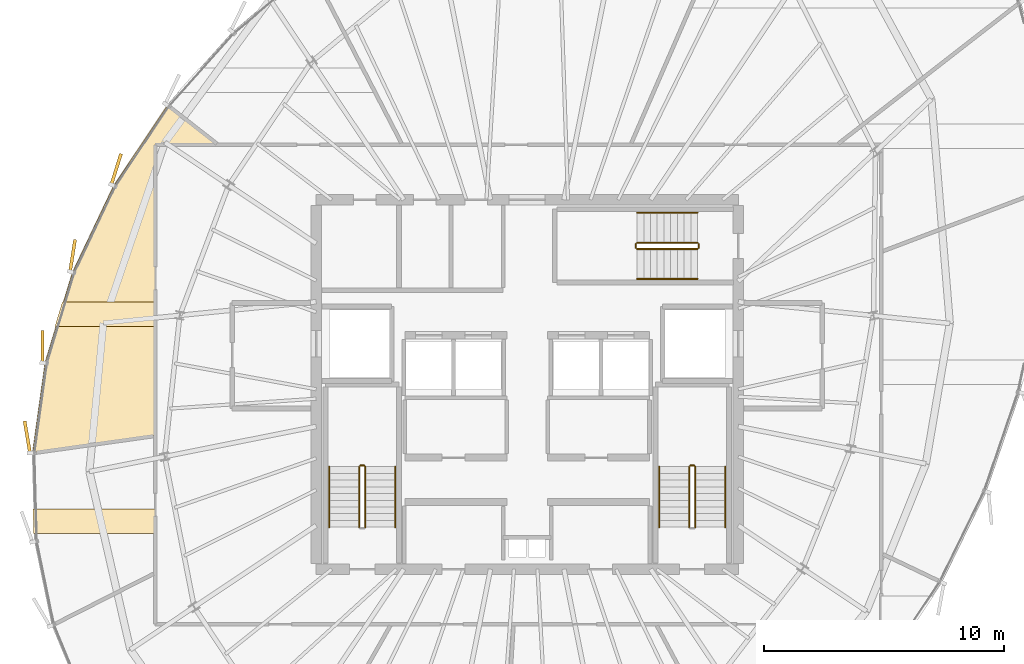
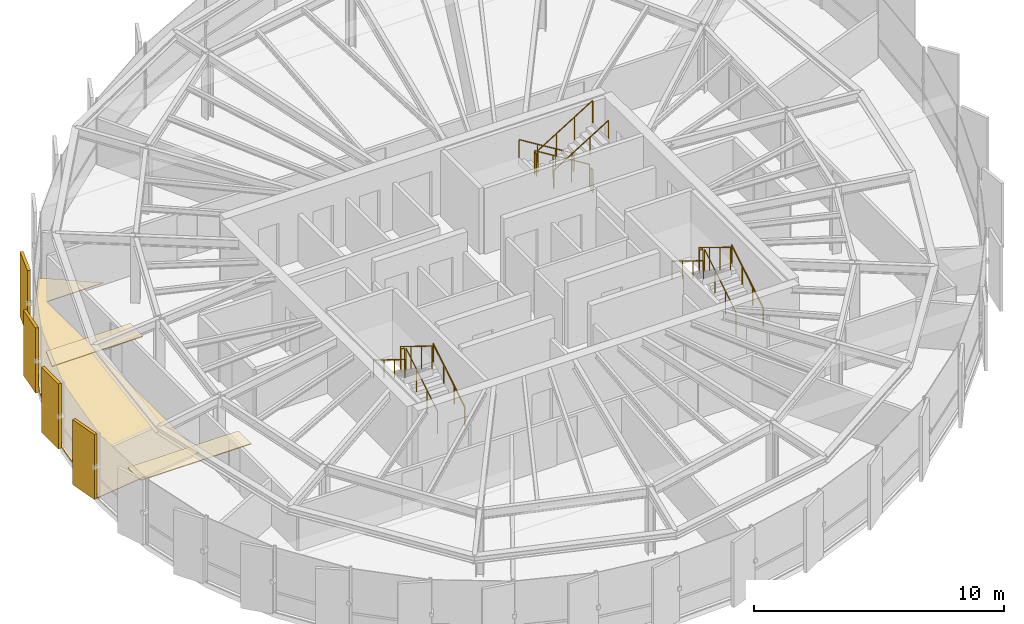
# One storey, part 34 of 35: 16 railings, 7 coverings.
"""IFC4 building model written with IfcOpenShell, lengths in metres."""

from ifc_helpers import new_model, si_unit, direction, frame, origin, origin_2d, place, context, subcontext, project, spatial, polyline, rectangle, circle, outline, extrude, source, transform, mapped, material, layer, layer_set, type_object, element, save


model = new_model("IFC4")

# Units and contexts
model_context = context("Model", 3, precision=1e-05, world=origin(), true_north=direction((0.0, 1.0)))
body_context = subcontext(model_context, "Body", "Model", "MODEL_VIEW")
ifc_project = project(units=[si_unit("LENGTHUNIT", "METRE"), si_unit("AREAUNIT", "SQUARE_METRE"), si_unit("VOLUMEUNIT", "CUBIC_METRE"), si_unit("PLANEANGLEUNIT", "RADIAN"), si_unit("MASSUNIT", "GRAM", prefix="KILO"), si_unit("THERMODYNAMICTEMPERATUREUNIT", "KELVIN")], contexts=[model_context])

# Site, building, storey
site_placement = place(None, origin())
site = spatial("IfcSite", under=ifc_project, at=site_placement, CompositionType="ELEMENT")
building_placement = place(site_placement, origin())
building = spatial("IfcBuilding", under=site, at=building_placement, Name="Kethvar Cultural Tower", CompositionType="ELEMENT")
storey_placement = place(building_placement, frame((0.0, 0.0, 245.64990234375)))
storey = spatial("IfcBuildingStorey", under=building, at=storey_placement, Name="L64", CompositionType="ELEMENT", Elevation=245.64990234375)

# Coverings
ifc_material_1 = material(Name="Acoustic Mineral Fibre Ceiling")
ifc_layer_1 = layer(ifc_material_1, 0.0400390625, Name="Acoustic Mineral Fibre Ceiling")
ifc_layer_set_1 = layer_set([ifc_layer_1], Name="Acoustic Mineral Fibre Ceiling (40 mm)")
covering_type_1 = type_object("IfcCoveringType", Name="CV-ACOUSTIC-CEIL", PredefinedType="CEILING", material=ifc_layer_set_1)
covering_1_placement = place(storey_placement, frame((0.0, 0.0, 2.89013671875)))
element("IfcCovering", 1, at=covering_1_placement, inside=storey, type_object=covering_type_1, Name="L64 Room 01 Acoustic Ceiling Panel", PredefinedType="CEILING", context=body_context, shape_type="SweptSolid", body=[
    extrude(outline(polyline([(26.19140625, 22.609375), (31.31005859375, 22.609375), (31.31005859375, 21.579345703125), (26.218994140625, 21.579345703125), (26.19140625, 22.609375)])), origin(), (0.0, 0.0, 1.0), 0.0400390625),
])
covering_2_placement = place(storey_placement, frame((0.0, 0.0, 2.89013671875)))
element("IfcCovering", 2, at=covering_2_placement, inside=storey, type_object=covering_type_1, Name="L64 Room 12 Acoustic Ceiling Panel", PredefinedType="CEILING", context=body_context, shape_type="SweptSolid", body=[
    extrude(outline(polyline([(27.419921875, 31.249267578125), (31.31005859375, 31.249267578125), (31.31005859375, 30.21923828125), (27.107421875, 30.21923828125), (27.419921875, 31.249267578125)])), origin(), (0.0, 0.0, 1.0), 0.0400390625),
])
ifc_material_2 = material(Name="Honed Warm Limestone", Category="masonry")
ifc_layer_2 = layer(ifc_material_2, 0.030029296875, Name="Honed Warm Limestone", Category="masonry")
ifc_layer_set_2 = layer_set([ifc_layer_2], Name="Honed Warm Limestone (30 mm)")
covering_type_2 = type_object("IfcCoveringType", Name="CV-STONE-FLOOR", PredefinedType="FLOORING", material=ifc_layer_set_2)
covering_3_placement = place(storey_placement, origin())
element("IfcCovering", 3, at=covering_3_placement, inside=storey, type_object=covering_type_2, Name="L64 Room 12 Floor Finish", PredefinedType="FLOORING", context=body_context, shape_type="SweptSolid", body=[
    extrude(outline(polyline([(26.69580078125, 28.724853515625), (27.834228515625, 32.476806640625), (29.549072265625, 36.086181640625), (31.777099609375, 39.427490234375), (33.858642578125, 37.81298828125), (31.2705078125, 37.796875), (31.27001953125, 25.67431640625), (26.171875, 24.9697265625), (26.69580078125, 28.724853515625)])), origin(), (0.0, 0.0, 1.0), 0.030029296875),
])

# Railings
ifc_material_3 = material(Name="Steel S355J2", Category="steel")
railing_type_1 = type_object("IfcRailingType", Name="RL-STAIR-GUARD", PredefinedType="BALUSTRADE", material=ifc_material_3)
railing_1_placement = place(storey_placement, frame((40.050048828125, 21.85009765625, 0.172607421875)))
element("IfcRailing", 4, at=railing_1_placement, inside=storey, type_object=railing_type_1, Name="L64 ST-01 stair guard 1", PredefinedType="BALUSTRADE", context=body_context, shape_type="SweptSolid", body=[
    extrude(circle(Radius=0.02392578125, at=origin_2d()), frame((0.0, 0.0, 1.09619140625), z_axis=(0.0, 0.851400495292, 0.524516154772), x_axis=(-1.0, 0.0, 0.0)), (0.0, 0.0, 1.0), 2.9599609375),
    extrude(circle(Radius=0.02099609375, at=origin_2d()), origin(), (0.0, 0.0, 1.0), 1.072021484375),
    extrude(circle(Radius=0.02099609375, at=origin_2d()), frame((0.0, 0.840087890625, 0.517578125)), (0.0, 0.0, 1.0), 1.072021484375),
    extrude(circle(Radius=0.02099609375, at=origin_2d()), frame((0.0, 1.679931640625, 1.034912109375)), (0.0, 0.0, 1.0), 1.072021484375),
    extrude(circle(Radius=0.02099609375, at=origin_2d()), frame((0.0, 2.52001953125, 1.552490234375)), (0.0, 0.0, 1.0), 1.072021484375),
])
railing_2_placement = place(storey_placement, frame((40.0, 24.419921875, 1.72509765625)))
element("IfcRailing", 5, at=railing_2_placement, inside=storey, type_object=railing_type_1, Name="L64 ST-01 stair guard 2", PredefinedType="BALUSTRADE", context=body_context, shape_type="SweptSolid", body=[
    extrude(circle(Radius=0.02392578125, at=origin_2d()), frame((0.0, 0.0, 1.09619140625), z_axis=(-1.0, 0.0, 0.0), x_axis=(0.0, -1.0, 0.0)), (0.0, 0.0, 1.0), 0.159912109375),
    extrude(circle(Radius=0.02099609375, at=origin_2d()), origin(), (0.0, 0.0, 1.0), 1.072021484375),
    extrude(circle(Radius=0.02099609375, at=origin_2d()), frame((-0.159912109375, 0.0, 0.0)), (0.0, 0.0, 1.0), 1.072021484375),
])
railing_3_placement = place(storey_placement, frame((39.7900390625, 24.3701171875, 1.897705078125)))
element("IfcRailing", 6, at=railing_3_placement, inside=storey, type_object=railing_type_1, Name="L64 ST-01 stair guard 3", PredefinedType="BALUSTRADE", context=body_context, shape_type="SweptSolid", body=[
    extrude(circle(Radius=0.02392578125, at=origin_2d()), frame((0.0, 0.0, 1.09619140625), z_axis=(0.0, -0.851400495292, 0.524516154772), x_axis=(1.0, 0.0, 0.0)), (0.0, 0.0, 1.0), 2.9599609375),
    extrude(circle(Radius=0.02099609375, at=origin_2d()), origin(), (0.0, 0.0, 1.0), 1.072021484375),
    extrude(circle(Radius=0.02099609375, at=origin_2d()), frame((0.0, -0.840087890625, 0.517578125)), (0.0, 0.0, 1.0), 1.072021484375),
    extrude(circle(Radius=0.02099609375, at=origin_2d()), frame((0.0, -1.679931640625, 1.034912109375)), (0.0, 0.0, 1.0), 1.072021484375),
    extrude(circle(Radius=0.02099609375, at=origin_2d()), frame((0.0, -2.52001953125, 1.552490234375)), (0.0, 0.0, 1.0), 1.072021484375),
])
railing_4_placement = place(storey_placement, frame((53.81005859375, 21.85009765625, 0.172607421875)))
element("IfcRailing", 7, at=railing_4_placement, inside=storey, type_object=railing_type_1, Name="L64 ST-02 stair guard 1", PredefinedType="BALUSTRADE", context=body_context, shape_type="SweptSolid", body=[
    extrude(circle(Radius=0.02392578125, at=origin_2d()), frame((0.0, 0.0, 1.09619140625), z_axis=(0.0, 0.851400495292, 0.524516154772), x_axis=(-1.0, 0.0, 0.0)), (0.0, 0.0, 1.0), 2.9599609375),
    extrude(circle(Radius=0.02099609375, at=origin_2d()), origin(), (0.0, 0.0, 1.0), 1.072021484375),
    extrude(circle(Radius=0.02099609375, at=origin_2d()), frame((0.0, 0.840087890625, 0.517578125)), (0.0, 0.0, 1.0), 1.072021484375),
    extrude(circle(Radius=0.02099609375, at=origin_2d()), frame((0.0, 1.679931640625, 1.034912109375)), (0.0, 0.0, 1.0), 1.072021484375),
    extrude(circle(Radius=0.02099609375, at=origin_2d()), frame((0.0, 2.52001953125, 1.552490234375)), (0.0, 0.0, 1.0), 1.072021484375),
])
railing_5_placement = place(storey_placement, frame((53.760009765625, 24.419921875, 1.72509765625)))
element("IfcRailing", 8, at=railing_5_placement, inside=storey, type_object=railing_type_1, Name="L64 ST-02 stair guard 2", PredefinedType="BALUSTRADE", context=body_context, shape_type="SweptSolid", body=[
    extrude(circle(Radius=0.02392578125, at=origin_2d()), frame((0.0, 0.0, 1.09619140625), z_axis=(-1.0, 0.0, 0.0), x_axis=(0.0, -1.0, 0.0)), (0.0, 0.0, 1.0), 0.159912109375),
    extrude(circle(Radius=0.02099609375, at=origin_2d()), origin(), (0.0, 0.0, 1.0), 1.072021484375),
    extrude(circle(Radius=0.02099609375, at=origin_2d()), frame((-0.159912109375, 0.0, 0.0)), (0.0, 0.0, 1.0), 1.072021484375),
])
railing_6_placement = place(storey_placement, frame((53.550048828125, 24.3701171875, 1.897705078125)))
element("IfcRailing", 9, at=railing_6_placement, inside=storey, type_object=railing_type_1, Name="L64 ST-02 stair guard 3", PredefinedType="BALUSTRADE", context=body_context, shape_type="SweptSolid", body=[
    extrude(circle(Radius=0.02392578125, at=origin_2d()), frame((0.0, 0.0, 1.09619140625), z_axis=(0.0, -0.851400495292, 0.524516154772), x_axis=(1.0, 0.0, 0.0)), (0.0, 0.0, 1.0), 2.9599609375),
    extrude(circle(Radius=0.02099609375, at=origin_2d()), origin(), (0.0, 0.0, 1.0), 1.072021484375),
    extrude(circle(Radius=0.02099609375, at=origin_2d()), frame((0.0, -0.840087890625, 0.517578125)), (0.0, 0.0, 1.0), 1.072021484375),
    extrude(circle(Radius=0.02099609375, at=origin_2d()), frame((0.0, -1.679931640625, 1.034912109375)), (0.0, 0.0, 1.0), 1.072021484375),
    extrude(circle(Radius=0.02099609375, at=origin_2d()), frame((0.0, -2.52001953125, 1.552490234375)), (0.0, 0.0, 1.0), 1.072021484375),
])
railing_7_placement = place(storey_placement, frame((53.89990234375, 33.7099609375, 0.172607421875)))
element("IfcRailing", 10, at=railing_7_placement, inside=storey, type_object=railing_type_1, Name="L64 ST-03 stair guard 1", PredefinedType="BALUSTRADE", context=body_context, shape_type="SweptSolid", body=[
    extrude(circle(Radius=0.02392578125, at=origin_2d()), frame((0.0, 0.0, 1.09619140625), z_axis=(-0.851400495292, 0.0, 0.524516154772), x_axis=(0.0, -1.0, 0.0)), (0.0, 0.0, 1.0), 2.9599609375),
    extrude(circle(Radius=0.02099609375, at=origin_2d()), origin(), (0.0, 0.0, 1.0), 1.072021484375),
    extrude(circle(Radius=0.02099609375, at=origin_2d()), frame((-0.840087890625, 0.0, 0.517578125)), (0.0, 0.0, 1.0), 1.072021484375),
    extrude(circle(Radius=0.02099609375, at=origin_2d()), frame((-1.679931640625, 0.0, 1.034912109375)), (0.0, 0.0, 1.0), 1.072021484375),
    extrude(circle(Radius=0.02099609375, at=origin_2d()), frame((-2.52001953125, 0.0, 1.552490234375)), (0.0, 0.0, 1.0), 1.072021484375),
])
railing_8_placement = place(storey_placement, frame((51.330078125, 33.659912109375, 1.72509765625)))
element("IfcRailing", 11, at=railing_8_placement, inside=storey, type_object=railing_type_1, Name="L64 ST-03 stair guard 2", PredefinedType="BALUSTRADE", context=body_context, shape_type="SweptSolid", body=[
    extrude(circle(Radius=0.02392578125, at=origin_2d()), frame((0.0, 0.0, 1.09619140625), z_axis=(0.0, -1.0, 0.0), x_axis=(1.0, 0.0, 0.0)), (0.0, 0.0, 1.0), 0.159912109375),
    extrude(circle(Radius=0.02099609375, at=origin_2d()), origin(), (0.0, 0.0, 1.0), 1.072021484375),
    extrude(circle(Radius=0.02099609375, at=origin_2d()), frame((0.0, -0.159912109375, 0.0)), (0.0, 0.0, 1.0), 1.072021484375),
])
railing_9_placement = place(storey_placement, frame((51.3798828125, 33.449951171875, 1.897705078125)))
element("IfcRailing", 12, at=railing_9_placement, inside=storey, type_object=railing_type_1, Name="L64 ST-03 stair guard 3", PredefinedType="BALUSTRADE", context=body_context, shape_type="SweptSolid", body=[
    extrude(circle(Radius=0.02392578125, at=origin_2d()), frame((0.0, 0.0, 1.09619140625), z_axis=(0.851400495292, 0.0, 0.524516154772), x_axis=(0.0, 1.0, 0.0)), (0.0, 0.0, 1.0), 2.9599609375),
    extrude(circle(Radius=0.02099609375, at=origin_2d()), origin(), (0.0, 0.0, 1.0), 1.072021484375),
    extrude(circle(Radius=0.02099609375, at=origin_2d()), frame((0.840087890625, 0.0, 0.517578125)), (0.0, 0.0, 1.0), 1.072021484375),
    extrude(circle(Radius=0.02099609375, at=origin_2d()), frame((1.679931640625, 0.0, 1.034912109375)), (0.0, 0.0, 1.0), 1.072021484375),
    extrude(circle(Radius=0.02099609375, at=origin_2d()), frame((2.52001953125, 0.0, 1.552490234375)), (0.0, 0.0, 1.0), 1.072021484375),
])
railing_10_placement = place(storey_placement, frame((53.949951171875, 33.659912109375, 0.0)))
element("IfcRailing", 13, at=railing_10_placement, inside=storey, type_object=railing_type_1, Name="L64 ST-03 stair guard 4", PredefinedType="BALUSTRADE", context=body_context, shape_type="SweptSolid", body=[
    extrude(circle(Radius=0.02392578125, at=origin_2d()), frame((0.0, 0.0, 1.09619140625), z_axis=(0.0, -1.0, 0.0), x_axis=(1.0, 0.0, 0.0)), (0.0, 0.0, 1.0), 0.159912109375),
    extrude(circle(Radius=0.02099609375, at=origin_2d()), origin(), (0.0, 0.0, 1.0), 1.072021484375),
    extrude(circle(Radius=0.02099609375, at=origin_2d()), frame((0.0, -0.159912109375, 0.0)), (0.0, 0.0, 1.0), 1.072021484375),
])
railing_type_2 = type_object("IfcRailingType", Name="RL-STAIR-HANDRAIL", PredefinedType="HANDRAIL", material=ifc_material_3)
railing_11_placement = place(storey_placement, frame((41.300048828125, 21.85009765625, 0.172607421875)))
element("IfcRailing", 14, at=railing_11_placement, inside=storey, type_object=railing_type_2, Name="L64 ST-01 stair handrail 1", PredefinedType="HANDRAIL", context=body_context, shape_type="SweptSolid", body=[
    extrude(circle(Radius=0.02392578125, at=origin_2d()), frame((0.0, 0.0, 0.8759765625), z_axis=(0.0, 0.851400495292, 0.524516154772), x_axis=(-1.0, 0.0, 0.0)), (0.0, 0.0, 1.0), 2.9599609375),
    extrude(circle(Radius=0.02099609375, at=origin_2d()), origin(), (0.0, 0.0, 1.0), 0.851806640625),
    extrude(circle(Radius=0.02099609375, at=origin_2d()), frame((0.0, 0.840087890625, 0.517578125)), (0.0, 0.0, 1.0), 0.851806640625),
    extrude(circle(Radius=0.02099609375, at=origin_2d()), frame((0.0, 1.679931640625, 1.034912109375)), (0.0, 0.0, 1.0), 0.851806640625),
    extrude(circle(Radius=0.02099609375, at=origin_2d()), frame((0.0, 2.52001953125, 1.552490234375)), (0.0, 0.0, 1.0), 0.851806640625),
])
railing_12_placement = place(storey_placement, frame((38.5400390625, 24.3701171875, 1.897705078125)))
element("IfcRailing", 15, at=railing_12_placement, inside=storey, type_object=railing_type_2, Name="L64 ST-01 stair handrail 2", PredefinedType="HANDRAIL", context=body_context, shape_type="SweptSolid", body=[
    extrude(circle(Radius=0.02392578125, at=origin_2d()), frame((0.0, 0.0, 0.8759765625), z_axis=(0.0, -0.851400495292, 0.524516154772), x_axis=(1.0, 0.0, 0.0)), (0.0, 0.0, 1.0), 2.9599609375),
    extrude(circle(Radius=0.02099609375, at=origin_2d()), origin(), (0.0, 0.0, 1.0), 0.851806640625),
    extrude(circle(Radius=0.02099609375, at=origin_2d()), frame((0.0, -0.840087890625, 0.517578125)), (0.0, 0.0, 1.0), 0.851806640625),
    extrude(circle(Radius=0.02099609375, at=origin_2d()), frame((0.0, -1.679931640625, 1.034912109375)), (0.0, 0.0, 1.0), 0.851806640625),
    extrude(circle(Radius=0.02099609375, at=origin_2d()), frame((0.0, -2.52001953125, 1.552490234375)), (0.0, 0.0, 1.0), 0.851806640625),
])
railing_13_placement = place(storey_placement, frame((55.06005859375, 21.85009765625, 0.172607421875)))
element("IfcRailing", 16, at=railing_13_placement, inside=storey, type_object=railing_type_2, Name="L64 ST-02 stair handrail 1", PredefinedType="HANDRAIL", context=body_context, shape_type="SweptSolid", body=[
    extrude(circle(Radius=0.02392578125, at=origin_2d()), frame((0.0, 0.0, 0.8759765625), z_axis=(0.0, 0.851400495292, 0.524516154772), x_axis=(-1.0, 0.0, 0.0)), (0.0, 0.0, 1.0), 2.9599609375),
    extrude(circle(Radius=0.02099609375, at=origin_2d()), origin(), (0.0, 0.0, 1.0), 0.851806640625),
    extrude(circle(Radius=0.02099609375, at=origin_2d()), frame((0.0, 0.840087890625, 0.517578125)), (0.0, 0.0, 1.0), 0.851806640625),
    extrude(circle(Radius=0.02099609375, at=origin_2d()), frame((0.0, 1.679931640625, 1.034912109375)), (0.0, 0.0, 1.0), 0.851806640625),
    extrude(circle(Radius=0.02099609375, at=origin_2d()), frame((0.0, 2.52001953125, 1.552490234375)), (0.0, 0.0, 1.0), 0.851806640625),
])
railing_14_placement = place(storey_placement, frame((52.300048828125, 24.3701171875, 1.897705078125)))
element("IfcRailing", 17, at=railing_14_placement, inside=storey, type_object=railing_type_2, Name="L64 ST-02 stair handrail 2", PredefinedType="HANDRAIL", context=body_context, shape_type="SweptSolid", body=[
    extrude(circle(Radius=0.02392578125, at=origin_2d()), frame((0.0, 0.0, 0.8759765625), z_axis=(0.0, -0.851400495292, 0.524516154772), x_axis=(1.0, 0.0, 0.0)), (0.0, 0.0, 1.0), 2.9599609375),
    extrude(circle(Radius=0.02099609375, at=origin_2d()), origin(), (0.0, 0.0, 1.0), 0.851806640625),
    extrude(circle(Radius=0.02099609375, at=origin_2d()), frame((0.0, -0.840087890625, 0.517578125)), (0.0, 0.0, 1.0), 0.851806640625),
    extrude(circle(Radius=0.02099609375, at=origin_2d()), frame((0.0, -1.679931640625, 1.034912109375)), (0.0, 0.0, 1.0), 0.851806640625),
    extrude(circle(Radius=0.02099609375, at=origin_2d()), frame((0.0, -2.52001953125, 1.552490234375)), (0.0, 0.0, 1.0), 0.851806640625),
])
railing_15_placement = place(storey_placement, frame((53.89990234375, 34.9599609375, 0.172607421875)))
element("IfcRailing", 18, at=railing_15_placement, inside=storey, type_object=railing_type_2, Name="L64 ST-03 stair handrail 1", PredefinedType="HANDRAIL", context=body_context, shape_type="SweptSolid", body=[
    extrude(circle(Radius=0.02392578125, at=origin_2d()), frame((0.0, 0.0, 0.8759765625), z_axis=(-0.851400495292, 0.0, 0.524516154772), x_axis=(0.0, -1.0, 0.0)), (0.0, 0.0, 1.0), 2.9599609375),
    extrude(circle(Radius=0.02099609375, at=origin_2d()), origin(), (0.0, 0.0, 1.0), 0.851806640625),
    extrude(circle(Radius=0.02099609375, at=origin_2d()), frame((-0.840087890625, 0.0, 0.517578125)), (0.0, 0.0, 1.0), 0.851806640625),
    extrude(circle(Radius=0.02099609375, at=origin_2d()), frame((-1.679931640625, 0.0, 1.034912109375)), (0.0, 0.0, 1.0), 0.851806640625),
    extrude(circle(Radius=0.02099609375, at=origin_2d()), frame((-2.52001953125, 0.0, 1.552490234375)), (0.0, 0.0, 1.0), 0.851806640625),
])
railing_16_placement = place(storey_placement, frame((51.3798828125, 32.199951171875, 1.897705078125)))
element("IfcRailing", 19, at=railing_16_placement, inside=storey, type_object=railing_type_2, Name="L64 ST-03 stair handrail 2", PredefinedType="HANDRAIL", context=body_context, shape_type="SweptSolid", body=[
    extrude(circle(Radius=0.02392578125, at=origin_2d()), frame((0.0, 0.0, 0.8759765625), z_axis=(0.851400495292, 0.0, 0.524516154772), x_axis=(0.0, 1.0, 0.0)), (0.0, 0.0, 1.0), 2.9599609375),
    extrude(circle(Radius=0.02099609375, at=origin_2d()), origin(), (0.0, 0.0, 1.0), 0.851806640625),
    extrude(circle(Radius=0.02099609375, at=origin_2d()), frame((0.840087890625, 0.0, 0.517578125)), (0.0, 0.0, 1.0), 0.851806640625),
    extrude(circle(Radius=0.02099609375, at=origin_2d()), frame((1.679931640625, 0.0, 1.034912109375)), (0.0, 0.0, 1.0), 0.851806640625),
    extrude(circle(Radius=0.02099609375, at=origin_2d()), frame((2.52001953125, 0.0, 1.552490234375)), (0.0, 0.0, 1.0), 0.851806640625),
])

# Coverings
ifc_material_4 = material(Name="Extruded Architectural Terracotta", Category="masonry")
ifc_layer_3 = layer(ifc_material_4, 0.135009765625, Name="Extruded Architectural Terracotta", Category="masonry")
ifc_layer_set_3 = layer_set([ifc_layer_3], Name="Extruded Architectural Terracotta (135 mm)")
covering_type_3 = type_object("IfcCoveringType", Name="Terracotta Facade Fin FIN-03", PredefinedType="CLADDING", material=ifc_layer_set_3)
shared_shape = source(origin(), body_context, "Body", "SweptSolid", [
    extrude(rectangle(XDim=1.35009765625, YDim=0.135009765625, at=origin_2d()), origin(), (0.0, 0.0, 1.0), 3.169921875),
])
for number, where, z_axis, x_axis, name in (
    (20, (29.661376953125, 36.774658203125, 0.02001953125), (0.0, 0.0, 1.0), (0.299207334056, 0.954188121518, 0.0), "L64 Vertical Terracotta Fin 2.5"),
    (21, (27.84326171875, 33.174072265625, 0.02001953125), (0.0, 0.0, 1.0), (0.15436551383, 0.988013809691, 0.0), "L64 Vertical Terracotta Fin 2.6"),
    (22, (26.59130859375, 29.3798828125, 0.02001953125), (0.0, 0.0, 1.0), (-0.00104719736, 0.999999451689, 0.0), "L64 Vertical Terracotta Fin 3.1"),
    (23, (25.95654296875, 25.60986328125, 0.02001953125), (0.0, 0.0, 1.0), (-0.165736122828, 0.986170136229, 0.0), "L64 Vertical Terracotta Fin 3.2"),
):
    element("IfcCovering", number, at=place(storey_placement, frame(where, z_axis=z_axis, x_axis=x_axis)), inside=storey, type_object=covering_type_3, Name=name, PredefinedType="CLADDING", context=body_context, shape_type="MappedRepresentation", body=[
        mapped(shared_shape, transform((0.0, 0.0, 0.0), scale=1.0)),
    ])

save(model, "model.ifc")
